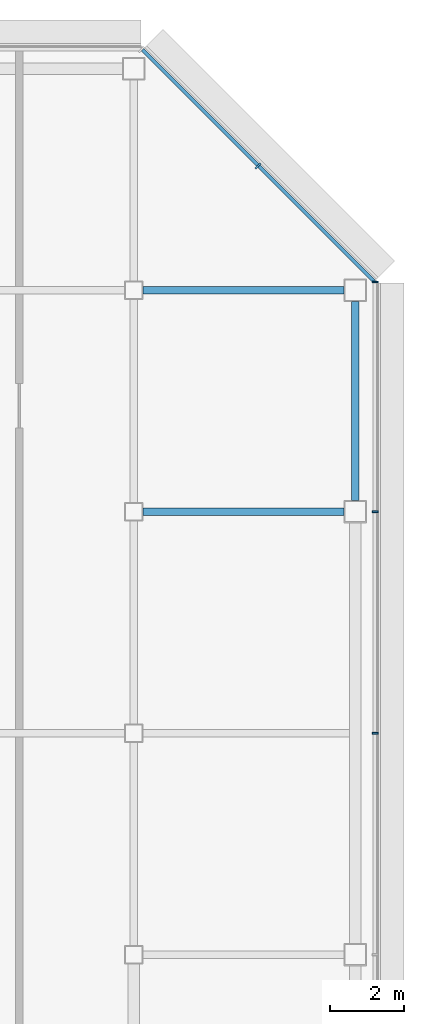
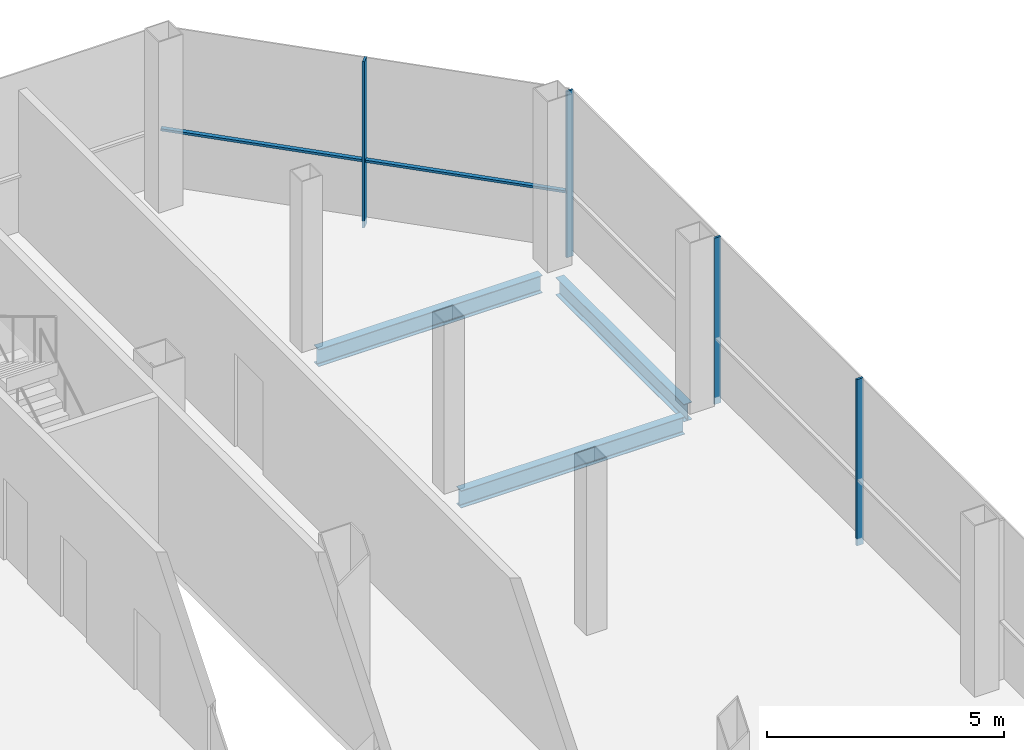
# One storey, part 19 of 29: 5 members, 3 beams, 2 elements without a shape of their own.
"""IFC4 building model written with IfcOpenShell, lengths in metres."""

from ifc_helpers import new_model, si_unit, direction, frame, origin, origin_2d, place, context, subcontext, project, spatial, rectangle, i_section, extrude, material, material_profile, profile_set, type_object, element, aggregate, save


model = new_model("IFC4")

# Units and contexts
model_context = context("Model", 3, precision=1e-05, world=origin(), true_north=direction((0.0, 1.0)))
body_context = subcontext(model_context, "Body", "Model", "MODEL_VIEW")
ifc_project = project(units=[si_unit("LENGTHUNIT", "METRE"), si_unit("AREAUNIT", "SQUARE_METRE"), si_unit("VOLUMEUNIT", "CUBIC_METRE"), si_unit("PLANEANGLEUNIT", "RADIAN"), si_unit("MASSUNIT", "GRAM", prefix="KILO")], contexts=[model_context])

# Site, building, storey
site_placement = place(None, origin())
site = spatial("IfcSite", under=ifc_project, at=site_placement, CompositionType="ELEMENT")
building_placement = place(site_placement, origin())
building = spatial("IfcBuilding", under=site, at=building_placement, Name="Sorahane Residences", CompositionType="ELEMENT")
storey_placement = place(building_placement, frame((0.0, 0.0, 277.39990234375)))
storey = spatial("IfcBuildingStorey", under=building, at=storey_placement, Name="L66", CompositionType="ELEMENT", Elevation=277.39990234375)

# Curtain wall, members
ifc_material_1 = material(Name="Dark low-e glass and black anodised aluminium", Category="aluminium")
curtain_wall_type_1 = type_object("IfcCurtainWallType", Name="Curtain wall CW-1 Typical unitised wall", PredefinedType="NOTDEFINED", material=ifc_material_1)
curtain_wall_1_placement = place(storey_placement, origin())
curtain_wall_1 = element("IfcCurtainWall", 1, at=curtain_wall_1_placement, inside=storey, type_object=curtain_wall_type_1, Name="CW-1 curtain wall L66 E1", PredefinedType="NOTDEFINED")
ifc_material_2 = material(Name="Black anodised aluminium", Category="aluminium")
ifc_material_profile_1 = material_profile(ifc_material_2, rectangle(XDim=0.159912109375, YDim=0.050048828125, at=origin_2d()), Name="Curtain wall mullion CW-1 black anodised aluminium 50x160")
ifc_profile_set_1 = profile_set([ifc_material_profile_1], Name="Black anodised aluminium")
member_type_1 = type_object("IfcMemberType", Name="Curtain wall mullion CW-1 black anodised aluminium 50x160", PredefinedType="MULLION", material=ifc_profile_set_1)
member_1_placement = place(storey_placement, frame((54.5400390625, 30.0, -0.179931640625), z_axis=(0.0, 0.0, 1.0), x_axis=(1.0, 0.0, 0.0)))
member_1 = element("IfcMember", 2, at=member_1_placement, type_object=member_type_1, Name="CW-1 mullion L66 E1.5", PredefinedType="MULLION", context=body_context, shape_type="SweptSolid", body=[
    extrude(rectangle(XDim=0.159912109375, YDim=0.050048828125, at=origin_2d()), origin(), (0.0, 0.0, 1.0), 4.280029296875),
])
member_2_placement = place(storey_placement, frame((54.5400390625, 36.0, -0.179931640625), z_axis=(0.0, 0.0, 1.0), x_axis=(1.0, 0.0, 0.0)))
member_2 = element("IfcMember", 3, at=member_2_placement, type_object=member_type_1, Name="CW-1 mullion L66 E1.6", PredefinedType="MULLION", context=body_context, shape_type="SweptSolid", body=[
    extrude(rectangle(XDim=0.159912109375, YDim=0.050048828125, at=origin_2d()), origin(), (0.0, 0.0, 1.0), 4.280029296875),
])
member_3_placement = place(storey_placement, frame((54.5400390625, 42.2236328125, -0.179931640625), z_axis=(0.0, 0.0, 1.0), x_axis=(1.0, 0.0, 0.0)))
member_3 = element("IfcMember", 4, at=member_3_placement, type_object=member_type_1, Name="CW-1 mullion L66 E1.7", PredefinedType="MULLION", context=body_context, shape_type="SweptSolid", body=[
    extrude(rectangle(XDim=0.159912109375, YDim=0.050048828125, at=origin_2d()), origin(), (0.0, 0.0, 1.0), 4.280029296875),
])
aggregate(curtain_wall_1, [member_1, member_2, member_3])

ifc_material_3 = material(Name="Dark low-e glass and black anodised aluminium", Category="aluminium")
curtain_wall_type_2 = type_object("IfcCurtainWallType", Name="Curtain wall CW-2 Chamfer unitised wall", PredefinedType="NOTDEFINED", material=ifc_material_3)
curtain_wall_2_placement = place(storey_placement, origin())
curtain_wall_2 = element("IfcCurtainWall", 5, at=curtain_wall_2_placement, inside=storey, type_object=curtain_wall_type_2, Name="CW-2 curtain wall L66 NE1", PredefinedType="NOTDEFINED")
ifc_material_4 = material(Name="Black anodised aluminium", Category="aluminium")
ifc_material_profile_2 = material_profile(ifc_material_4, rectangle(XDim=0.199951171875, YDim=0.050048828125, at=origin_2d()), Name="Curtain wall mullion CW-2 black anodised aluminium 50x200")
ifc_profile_set_2 = profile_set([ifc_material_profile_2], Name="Black anodised aluminium")
member_type_2 = type_object("IfcMemberType", Name="Curtain wall mullion CW-2 black anodised aluminium 50x200", PredefinedType="MULLION", material=ifc_profile_set_2)
member_4_placement = place(storey_placement, frame((51.36767578125, 45.36767578125, -0.179931640625), z_axis=(0.0, 0.0, 1.0), x_axis=(0.707106781187, 0.707106781187, 0.0)))
member_4 = element("IfcMember", 6, at=member_4_placement, type_object=member_type_2, Name="CW-2 mullion L66 NE1.2", PredefinedType="MULLION", context=body_context, shape_type="SweptSolid", body=[
    extrude(rectangle(XDim=0.199951171875, YDim=0.050048828125, at=origin_2d()), origin(), (0.0, 0.0, 1.0), 4.280029296875),
])
ifc_material_5 = material(Name="Black anodised aluminium", Category="aluminium")
ifc_material_profile_3 = material_profile(ifc_material_5, rectangle(XDim=0.10009765625, YDim=0.06005859375, at=origin_2d()), Name="Curtain wall transom CW-2 black anodised aluminium 60x100")
ifc_profile_set_3 = profile_set([ifc_material_profile_3], Name="Black anodised aluminium")
member_type_3 = type_object("IfcMemberType", Name="Curtain wall transom CW-2 black anodised aluminium 60x100", PredefinedType="USERDEFINED", material=ifc_profile_set_3)
member_5_placement = place(storey_placement, frame((54.51513671875, 42.234375, 1.5), z_axis=(-0.707106781187, 0.707106781187, 0.0), x_axis=(-0.707106781187, -0.707106781187, 0.0)))
member_5 = element("IfcMember", 7, at=member_5_placement, type_object=member_type_3, Name="CW-2 transom L66 NE1", ObjectType="TRANSOM", PredefinedType="USERDEFINED", context=body_context, shape_type="SweptSolid", body=[
    extrude(rectangle(XDim=0.10009765625, YDim=0.06005859375, at=origin_2d()), origin(), (0.0, 0.0, 1.0), 8.88232421875),
])
aggregate(curtain_wall_2, [member_4, member_5])

# Beams
ifc_material_6 = material(Name="Steel Q355B", Category="steel")
ifc_material_profile_4 = material_profile(ifc_material_6, i_section(OverallWidth=0.199951171875, OverallDepth=0.449951171875, WebThickness=0.009033203125, FlangeThickness=0.013916015625, FilletRadius=0.02001953125, at=origin_2d()), Name="HN 450x200x9x14")
ifc_profile_set_4 = profile_set([ifc_material_profile_4], Name="Steel Q355B")
beam_type = type_object("IfcBeamType", Name="Steel floor beam HN 450x200x9x14 Q355B", PredefinedType="BEAM", material=ifc_profile_set_4)
beam_1_placement = place(storey_placement, frame((48.25, 36.0, -0.40478515625), z_axis=(1.0, 0.0, 0.0), x_axis=(0.0, 1.0, 0.0)))
element("IfcBeam", 8, at=beam_1_placement, inside=storey, type_object=beam_type, Name="Beam L66 014", PredefinedType="BEAM", context=body_context, shape_type="SweptSolid", body=[
    extrude(i_section(OverallWidth=0.199951171875, OverallDepth=0.449951171875, WebThickness=0.009033203125, FlangeThickness=0.013916015625, FilletRadius=0.02001953125, at=origin_2d()), origin(), (0.0, 0.0, 1.0), 5.449951171875),
])
beam_2_placement = place(storey_placement, frame((54.0, 36.300048828125, -0.40478515625), z_axis=(0.0, 1.0, 0.0), x_axis=(-1.0, 0.0, 0.0)))
element("IfcBeam", 9, at=beam_2_placement, inside=storey, type_object=beam_type, Name="Beam L66 067", PredefinedType="BEAM", context=body_context, shape_type="SweptSolid", body=[
    extrude(i_section(OverallWidth=0.199951171875, OverallDepth=0.449951171875, WebThickness=0.009033203125, FlangeThickness=0.013916015625, FilletRadius=0.02001953125, at=origin_2d()), origin(), (0.0, 0.0, 1.0), 5.39990234375),
])
beam_3_placement = place(storey_placement, frame((48.25, 42.0, -0.40478515625), z_axis=(1.0, 0.0, 0.0), x_axis=(0.0, 1.0, 0.0)))
element("IfcBeam", 10, at=beam_3_placement, inside=storey, type_object=beam_type, Name="Beam L66 092", PredefinedType="BEAM", context=body_context, shape_type="SweptSolid", body=[
    extrude(i_section(OverallWidth=0.199951171875, OverallDepth=0.449951171875, WebThickness=0.009033203125, FlangeThickness=0.013916015625, FilletRadius=0.02001953125, at=origin_2d()), origin(), (0.0, 0.0, 1.0), 5.449951171875),
])

save(model, "model.ifc")
